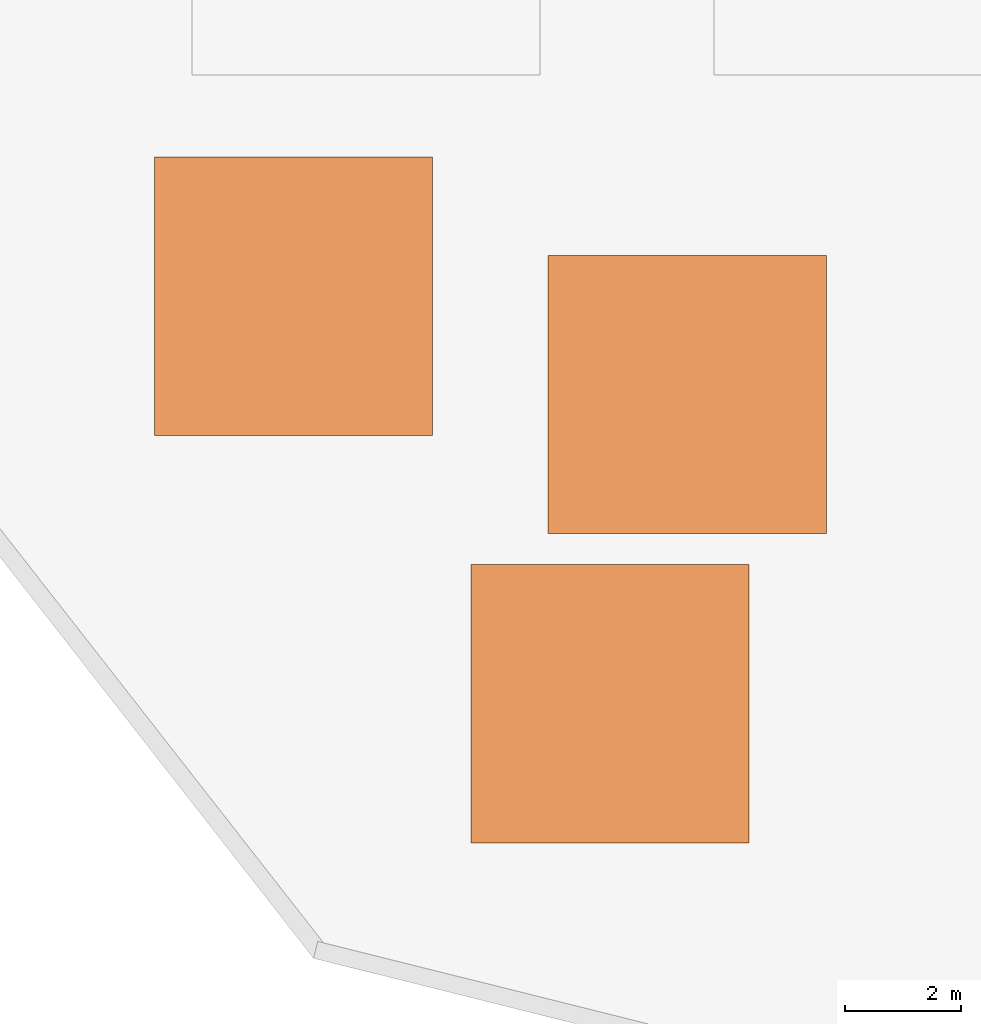
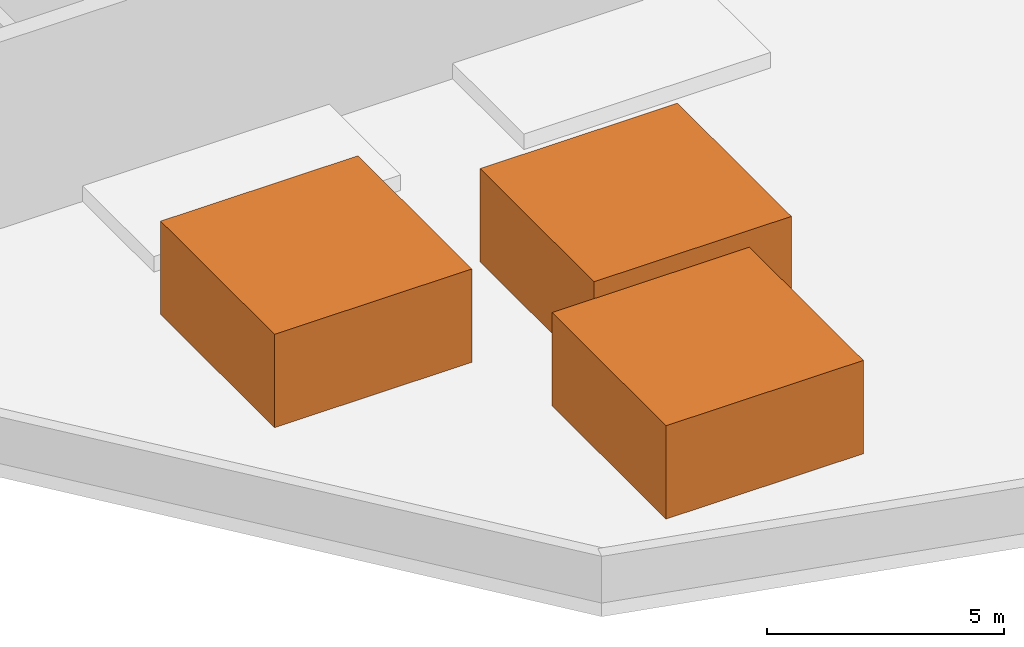
# One storey, part 4 of 4: 3 proxies.
"""IFC4 building model written with IfcOpenShell, lengths in metres."""

from ifc_helpers import new_model, si_unit, direction, frame, origin, origin_2d, place, context, subcontext, project, spatial, rectangle, extrude, material, type_object, element, save


model = new_model("IFC4")

# Units and contexts
model_context = context("Model", 3, precision=1e-05, world=origin(), true_north=direction((0.0, 1.0)))
body_context = subcontext(model_context, "Body", "Model", "MODEL_VIEW")
ifc_project = project(units=[si_unit("LENGTHUNIT", "METRE"), si_unit("AREAUNIT", "SQUARE_METRE"), si_unit("VOLUMEUNIT", "CUBIC_METRE"), si_unit("PLANEANGLEUNIT", "RADIAN"), si_unit("MASSUNIT", "GRAM", prefix="KILO")], contexts=[model_context])

# Site, building, storey
site_placement = place(None, origin())
site = spatial("IfcSite", under=ifc_project, at=site_placement, CompositionType="ELEMENT")
building_placement = place(site_placement, origin())
building = spatial("IfcBuilding", under=site, at=building_placement, Name="Meshkara Civic Tower", CompositionType="ELEMENT")
storey_placement = place(building_placement, frame((0.0, 0.0, 429.0)))
storey = spatial("IfcBuildingStorey", under=building, at=storey_placement, Name="Roof", CompositionType="ELEMENT", Elevation=429.0)

# Proxies
ifc_material = material(Name="Steel S355", Category="steel")
building_element_proxy_type = type_object("IfcBuildingElementProxyType", Name="ROOF PLANT UNIT", PredefinedType="USERDEFINED", material=ifc_material)
for number, where, z_axis, x_axis, name in (
    (1, (16.2451171875, 7.285888671875, 0.0), (0.0, 0.0, 1.0), (1.0, 0.0, 0.0), "Roof plant unit"),
    (2, (21.70703125, 0.256103515625, 0.0), (0.0, 0.0, 1.0), (1.0, 0.0, 0.0), "Roof plant unit"),
    (3, (23.037109375, 5.593017578125, 0.0), (0.0, 0.0, 1.0), (1.0, 0.0, 0.0), "Roof plant unit"),
):
    element("IfcBuildingElementProxy", number, at=place(storey_placement, frame(where, z_axis=z_axis, x_axis=x_axis)), inside=storey, type_object=building_element_proxy_type, Name=name, ObjectType="PLANT", PredefinedType="USERDEFINED", context=body_context, shape_type="SweptSolid", body=[
        extrude(rectangle(XDim=4.800048828125, YDim=4.800048828125, at=origin_2d()), origin(), (0.0, 0.0, 1.0), 2.39990234375),
    ])

save(model, "model.ifc")
